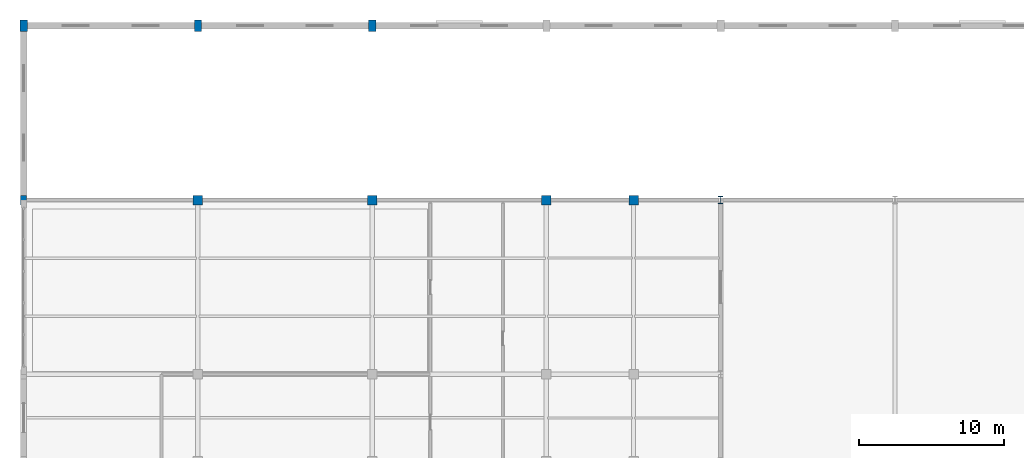
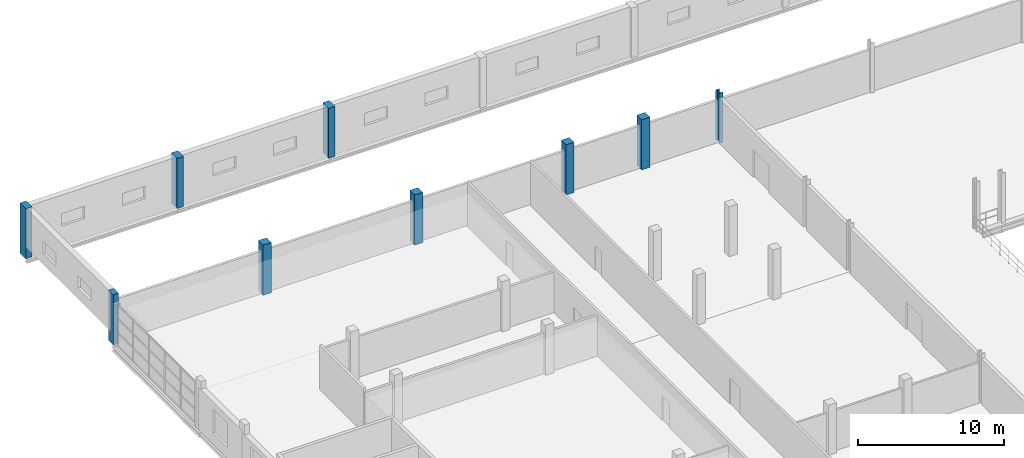
# One storey, part 19 of 158: 9 columns.
"""IFC4 building model written with IfcOpenShell, lengths in metres."""

import ifcopenshell
import ifcopenshell.guid

model = None  # the IFC model being written
_history = None  # IfcOwnerHistory: only IFC2X3 demands one
_inside = {}  # id of a spatial element -> (the spatial element, [elements in it])
_under = {}  # id of a project, library or spatial element -> (it, [spatial elements below it])
_declared = {}  # id of a project -> (the project, [libraries it declares])
_typed = {}  # id of a type object -> (the type object, [elements of that type])
_made_of = {}  # id of a material, layer set ... -> (it, [elements and type objects made of it])


def new_model(schema):
    """Start an empty IFC model of exactly this schema.

    Asked for "IFC4X3", IfcOpenShell would pick the latest addendum, in which some entities
    have other attributes; the version numbers below select the first issue.
    IFC2X3 requires an IfcOwnerHistory on every rooted entity: one is made here for all.
    """
    global model, _history
    if schema == "IFC4X3":
        model = ifcopenshell.file(schema_version=(4, 3, 0, 0))
    else:
        model = ifcopenshell.file(schema=schema)
    _inside.clear()
    _under.clear()
    _declared.clear()
    _typed.clear()
    _made_of.clear()
    _history = None
    if model.schema == "IFC2X3":
        org = make("IfcOrganization", Name="unknown")
        user = make(
            "IfcPersonAndOrganization",
            ThePerson=make("IfcPerson", FamilyName="unknown"),
            TheOrganization=org,
        )
        app = make(
            "IfcApplication",
            ApplicationDeveloper=org,
            Version="unknown",
            ApplicationFullName="unknown",
            ApplicationIdentifier="unknown",
        )
        _history = make(
            "IfcOwnerHistory",
            OwningUser=user,
            OwningApplication=app,
            ChangeAction="ADDED",
            CreationDate=0,
        )
    return model


def make(cls, **values):
    """One entity of the class cls with the attributes given. An attribute that is None is left unset."""
    return model.create_entity(
        cls, **{name: value for name, value in values.items() if value is not None}
    )


def rooted(cls, **values):
    """An entity with a GlobalId (a new one), such as an element, a storey or a relation."""
    return make(cls, GlobalId=ifcopenshell.guid.new(), OwnerHistory=_history, **values)


def si_unit(unit_type, name, prefix=None):
    """IfcSIUnit, for example si_unit("LENGTHUNIT", "METRE", prefix="MILLI")."""
    return make("IfcSIUnit", UnitType=unit_type, Prefix=prefix, Name=name)


def assignment(units):
    """IfcUnitAssignment: the units of a project."""
    return None if units is None else make("IfcUnitAssignment", Units=units)


def point(xyz):
    """IfcCartesianPoint."""
    return None if xyz is None else make("IfcCartesianPoint", Coordinates=xyz)


def direction(xyz):
    """IfcDirection."""
    return None if xyz is None else make("IfcDirection", DirectionRatios=xyz)


def frame(location, z_axis=None, x_axis=None):
    """IfcAxis2Placement3D, a coordinate frame: its origin and axes. An axis left out is left unset."""
    return make(
        "IfcAxis2Placement3D",
        Location=point(location),
        Axis=direction(z_axis),
        RefDirection=direction(x_axis),
    )


def frame_2d(location, x_axis=None):
    """IfcAxis2Placement2D, a coordinate frame in the plane: its origin and x axis."""
    return make(
        "IfcAxis2Placement2D", Location=point(location), RefDirection=direction(x_axis)
    )


def origin():
    """The frame at (0, 0, 0) with its axes left unset."""
    return frame((0.0, 0.0, 0.0))


def origin_2d():
    """The frame at (0, 0) in the plane with its x axis left unset."""
    return frame_2d((0.0, 0.0))


def place(relative_to, where):
    """IfcLocalPlacement: puts the frame where relative to a parent placement (None: the world)."""
    return make(
        "IfcLocalPlacement", PlacementRelTo=relative_to, RelativePlacement=where
    )


def context(
    kind, dimensions, precision=None, world=None, true_north=None, identifier=None
):
    """IfcGeometricRepresentationContext, for example the 3D "Model" context."""
    return make(
        "IfcGeometricRepresentationContext",
        ContextIdentifier=identifier,
        ContextType=kind,
        CoordinateSpaceDimension=dimensions,
        Precision=precision,
        WorldCoordinateSystem=world,
        TrueNorth=true_north,
    )


def subcontext(parent, identifier, kind, view, scale=None):
    """IfcGeometricRepresentationSubContext, for example "Body" below "Model"."""
    return make(
        "IfcGeometricRepresentationSubContext",
        ContextIdentifier=identifier,
        ContextType=kind,
        ParentContext=parent,
        TargetScale=scale,
        TargetView=view,
    )


def project(units=None, contexts=None):
    """IfcProject with its units and contexts."""
    return rooted(
        "IfcProject",
        Name="project",
        RepresentationContexts=contexts,
        UnitsInContext=assignment(units),
    )


def spatial(cls, under=None, at=None, **own):
    """A site, building, storey or space (cls), placed at a placement, below another one or the project."""
    s = rooted(cls, ObjectPlacement=at, **own)
    if under is not None:
        _under.setdefault(under.id(), (under, []))[1].append(s)
    return s


def profile(cls, at=None, kind="AREA", **sizes):
    """A parametric profile (cls). Its sizes go by their IFC names, for example OverallWidth=200.0."""
    return make(cls, ProfileType=kind, Position=at, **sizes)


def rectangle(**sizes):
    """IfcRectangleProfileDef."""
    return profile("IfcRectangleProfileDef", **sizes)


def i_section(**sizes):
    """IfcIShapeProfileDef."""
    return profile("IfcIShapeProfileDef", **sizes)


def extrude(swept, where, along, depth):
    """IfcExtrudedAreaSolid: the profile swept, set in the frame where, extruded along a direction by depth."""
    return make(
        "IfcExtrudedAreaSolid",
        SweptArea=swept,
        Position=where,
        ExtrudedDirection=direction(along),
        Depth=depth,
    )


def shape(context_of_items, identifier, shape_type, items):
    """IfcShapeRepresentation: the items that make up one representation, for example the "Body"."""
    return make(
        "IfcShapeRepresentation",
        ContextOfItems=context_of_items,
        RepresentationIdentifier=identifier,
        RepresentationType=shape_type,
        Items=items,
    )


def material(Name=None, Category=None):
    """IfcMaterial."""
    return make("IfcMaterial", Name=Name, Category=Category)


def material_profile(
    of_material, cross_section, Name=None, Category=None, Priority=None
):
    """IfcMaterialProfile: a cross section and its material."""
    return make(
        "IfcMaterialProfile",
        Name=Name,
        Material=of_material,
        Profile=cross_section,
        Priority=Priority,
        Category=Category,
    )


def profile_set(profiles, Name=None, composite=None):
    """IfcMaterialProfileSet."""
    return make(
        "IfcMaterialProfileSet",
        Name=Name,
        MaterialProfiles=profiles,
        CompositeProfile=composite,
    )


def made_of(thing, what):
    """Note that an element or type object is made of a material, layer set ...; save() writes the relation."""
    if what is not None:
        _made_of.setdefault(what.id(), (what, []))[1].append(thing)
    return thing


def type_object(cls, material=None, **own):
    """A type object (cls), such as IfcWallType, which elements share."""
    return made_of(rooted(cls, **own), material)


def element(
    cls,
    number,
    at=None,
    inside=None,
    cuts=None,
    type_object=None,
    material=None,
    context=None,
    identifier="Body",
    shape_type=None,
    held_by="IfcProductDefinitionShape",
    body=None,
    shapes=None,
    **own,
):
    """One element of the class cls, such as IfcWall. Its Tag is "e" and its number.

    at: its placement. inside: the storey or other place that contains it. cuts: it is an
    opening in that element (IfcRelVoidsElement). A single representation is given by context,
    identifier, shape_type and body (its items); several are given by shapes. held_by: the class
    of the entity that holds the representations. save() writes the other relations.
    """
    e = rooted(cls, Tag="e%d" % number, ObjectPlacement=at, **own)
    if body is not None:
        shapes = [shape(context, identifier, shape_type, body)]
    if shapes is not None:
        e.Representation = make(held_by, Representations=shapes)
    if inside is not None:
        _inside.setdefault(inside.id(), (inside, []))[1].append(e)
    if cuts is not None:
        rooted(
            "IfcRelVoidsElement", RelatingBuildingElement=cuts, RelatedOpeningElement=e
        )
    if type_object is not None:
        _typed.setdefault(type_object.id(), (type_object, []))[1].append(e)
    return made_of(e, material)


def aggregate(whole, parts):
    """IfcRelAggregates: a whole, such as a stair, and the parts it consists of."""
    return rooted("IfcRelAggregates", RelatingObject=whole, RelatedObjects=parts)


def save(model, path):
    """Write the relations noted so far, then the file.

    IfcRelAggregates (storeys below a building ...), IfcRelContainedInSpatialStructure (elements
    in a storey), IfcRelDefinesByType, IfcRelAssociatesMaterial and IfcRelDeclares: one each for
    every whole, place, type object, material and project.
    """
    for whole, parts in _under.values():
        aggregate(whole, parts)
    for where, things in _inside.values():
        rooted(
            "IfcRelContainedInSpatialStructure",
            RelatedElements=things,
            RelatingStructure=where,
        )
    for kind, things in _typed.values():
        rooted("IfcRelDefinesByType", RelatedObjects=things, RelatingType=kind)
    for what, things in _made_of.values():
        rooted("IfcRelAssociatesMaterial", RelatedObjects=things, RelatingMaterial=what)
    for by, libraries in _declared.values():
        rooted("IfcRelDeclares", RelatingContext=by, RelatedDefinitions=libraries)
    model.write(path)


model = new_model("IFC4")

# Units and contexts
model_context = context("Model", 3, precision=1e-05, world=origin(), true_north=direction((0.0, 1.0)))
body_context = subcontext(model_context, "Body", "Model", "MODEL_VIEW")
ifc_project = project(units=[si_unit("LENGTHUNIT", "METRE"), si_unit("AREAUNIT", "SQUARE_METRE"), si_unit("VOLUMEUNIT", "CUBIC_METRE"), si_unit("PLANEANGLEUNIT", "RADIAN"), si_unit("MASSUNIT", "GRAM", prefix="KILO")], contexts=[model_context])

# Site, building, storey
site_placement = place(None, origin())
site = spatial("IfcSite", under=ifc_project, at=site_placement, CompositionType="ELEMENT")
building_placement = place(site_placement, origin())
building = spatial("IfcBuilding", under=site, at=building_placement, Name="Zilviju Railside Exhibition Hall", CompositionType="ELEMENT")
storey_placement = place(building_placement, frame((0.0, 0.0, 4.199951171875)))
storey = spatial("IfcBuildingStorey", under=building, at=storey_placement, Name="L02", CompositionType="ELEMENT", Elevation=4.199951171875)

# Columns
ifc_material_1 = material(Name="Concrete C35/45", Category="concrete")
ifc_material_profile_1 = material_profile(ifc_material_1, rectangle(XDim=0.64990234375, YDim=0.64990234375, at=origin_2d()), Name="RC COL 650x650")
ifc_profile_set_1 = profile_set([ifc_material_profile_1], Name="Concrete C35/45")
column_type_1 = type_object("IfcColumnType", Name="COL-RC-650", PredefinedType="COLUMN", material=ifc_profile_set_1)
for number, where, z_axis, x_axis, name in (
    (1, (12.0, 138.0, 0.0), (0.0, 0.0, 1.0), (1.0, 0.0, 0.0), "Structural Column L02 (12.0, 138.0)"),
    (2, (24.0, 138.0, 0.0), (0.0, 0.0, 1.0), (1.0, 0.0, 0.0), "Structural Column L02 (24.0, 138.0)"),
    (3, (36.0, 138.0, 0.0), (0.0, 0.0, 1.0), (1.0, 0.0, 0.0), "Structural Column L02 (36.0, 138.0)"),
    (4, (42.0, 138.0, 0.0), (0.0, 0.0, 1.0), (1.0, 0.0, 0.0), "Structural Column L02 (42.0, 138.0)"),
):
    element("IfcColumn", number, at=place(storey_placement, frame(where, z_axis=z_axis, x_axis=x_axis)), inside=storey, type_object=column_type_1, Name=name, PredefinedType="COLUMN", context=body_context, shape_type="SweptSolid", body=[
        extrude(rectangle(XDim=0.64990234375, YDim=0.64990234375, at=origin_2d()), origin(), (0.0, 0.0, 1.0), 4.199951171875),
    ])
ifc_material_2 = material(Name="Concrete C40/50", Category="concrete")
ifc_material_profile_2 = material_profile(ifc_material_2, rectangle(XDim=0.5, YDim=0.800048828125, at=origin_2d()), Name="RC COL 500x800")
ifc_profile_set_2 = profile_set([ifc_material_profile_2], Name="Concrete C40/50")
column_type_2 = type_object("IfcColumnType", Name="COL-RC-800x500", PredefinedType="COLUMN", material=ifc_profile_set_2)
for number, where, z_axis, x_axis, name in (
    (5, (0.0, 150.0, 0.0), (0.0, 0.0, 1.0), (1.0, 0.0, 0.0), "Structural Column L02 (0.0, 150.0)"),
    (6, (12.0, 150.0, 0.0), (0.0, 0.0, 1.0), (1.0, 0.0, 0.0), "Structural Column L02 (12.0, 150.0)"),
    (7, (24.0, 150.0, 0.0), (0.0, 0.0, 1.0), (1.0, 0.0, 0.0), "Structural Column L02 (24.0, 150.0)"),
):
    element("IfcColumn", number, at=place(storey_placement, frame(where, z_axis=z_axis, x_axis=x_axis)), inside=storey, type_object=column_type_2, Name=name, PredefinedType="COLUMN", context=body_context, shape_type="SweptSolid", body=[
        extrude(rectangle(XDim=0.5, YDim=0.800048828125, at=origin_2d()), origin(), (0.0, 0.0, 1.0), 4.199951171875),
    ])
ifc_material_3 = material(Name="Steel S355J2", Category="steel")
ifc_material_profile_3 = material_profile(ifc_material_3, i_section(OverallWidth=0.300048828125, OverallDepth=0.5, WebThickness=0.014404296875, FlangeThickness=0.028076171875, at=origin_2d()), Name="HEB 500")
ifc_profile_set_3 = profile_set([ifc_material_profile_3], Name="Steel S355J2")
column_type_3 = type_object("IfcColumnType", Name="COL-ST-HEB500", PredefinedType="COLUMN", material=ifc_profile_set_3)
column_1_placement = place(storey_placement, frame((48.0, 138.0, 0.0), z_axis=(0.0, 0.0, 1.0), x_axis=(1.0, 0.0, 0.0)))
element("IfcColumn", 8, at=column_1_placement, inside=storey, type_object=column_type_3, Name="Structural Column L02 (48.0, 138.0)", PredefinedType="COLUMN", context=body_context, shape_type="SweptSolid", body=[
    extrude(i_section(OverallWidth=0.300048828125, OverallDepth=0.5, WebThickness=0.014404296875, FlangeThickness=0.028076171875, at=origin_2d()), origin(), (0.0, 0.0, 1.0), 4.199951171875),
])
ifc_material_profile_4 = material_profile(ifc_material_1, rectangle(XDim=0.39990234375, YDim=0.64990234375, at=origin_2d()), Name="RC COL 400x650")
ifc_profile_set_4 = profile_set([ifc_material_profile_4], Name="Concrete C35/45")
column_type_4 = type_object("IfcColumnType", Name="PIL-RC-650x400", PredefinedType="PILASTER", material=ifc_profile_set_4)
column_2_placement = place(storey_placement, frame((0.0, 138.0, 0.0), z_axis=(0.0, 0.0, 1.0), x_axis=(1.0, 0.0, 0.0)))
element("IfcColumn", 9, at=column_2_placement, inside=storey, type_object=column_type_4, Name="Structural Column L02 (0.0, 138.0)", PredefinedType="PILASTER", context=body_context, shape_type="SweptSolid", body=[
    extrude(rectangle(XDim=0.39990234375, YDim=0.64990234375, at=origin_2d()), origin(), (0.0, 0.0, 1.0), 4.199951171875),
])

save(model, "model.ifc")
